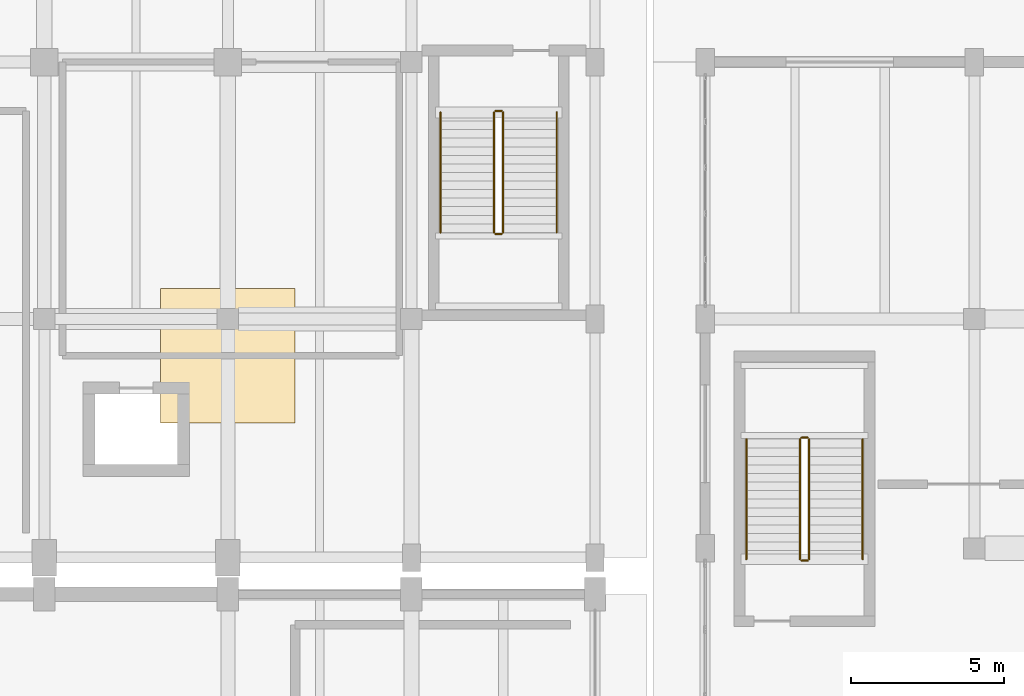
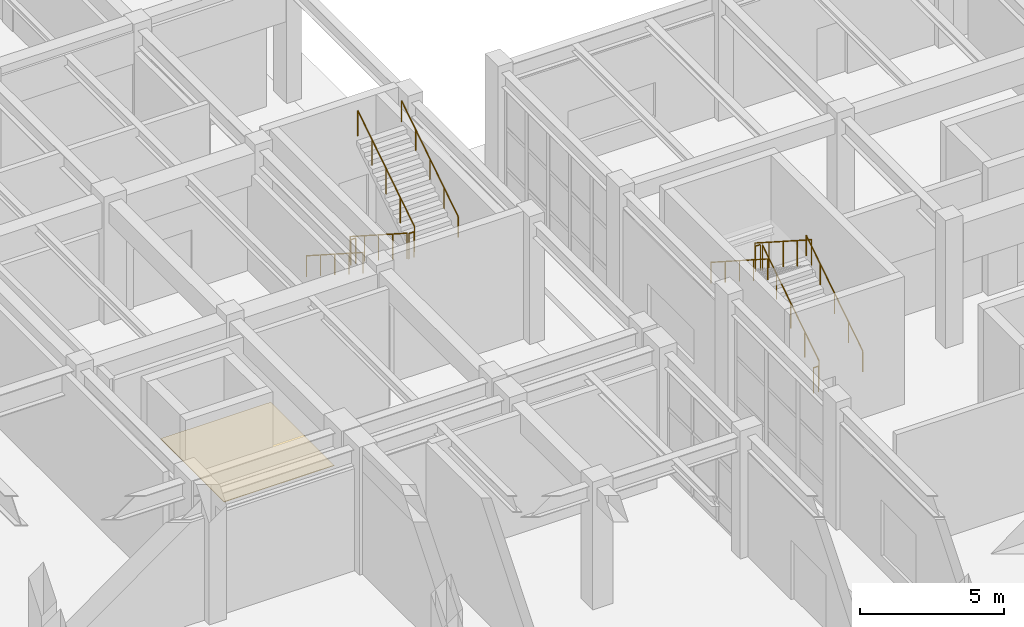
# One storey, part 90 of 91: 12 railings, 1 covering.
"""IFC4 building model written with IfcOpenShell, lengths in metres."""

from ifc_helpers import new_model, si_unit, direction, frame, origin, origin_2d, place, context, subcontext, project, spatial, polyline, circle, outline, extrude, material, layer, layer_set, type_object, element, save


model = new_model("IFC4")

# Units and contexts
model_context = context("Model", 3, precision=1e-05, world=origin(), true_north=direction((0.0, 1.0)))
body_context = subcontext(model_context, "Body", "Model", "MODEL_VIEW")
ifc_project = project(units=[si_unit("LENGTHUNIT", "METRE"), si_unit("AREAUNIT", "SQUARE_METRE"), si_unit("VOLUMEUNIT", "CUBIC_METRE"), si_unit("PLANEANGLEUNIT", "RADIAN"), si_unit("MASSUNIT", "GRAM", prefix="KILO")], contexts=[model_context])

# Site, building, storey
site_placement = place(None, origin())
site = spatial("IfcSite", under=ifc_project, at=site_placement, CompositionType="ELEMENT")
building_placement = place(site_placement, origin())
building = spatial("IfcBuilding", under=site, at=building_placement, Name="Vaelkrest Opera House", CompositionType="ELEMENT")
storey_placement = place(building_placement, origin())
storey = spatial("IfcBuildingStorey", under=building, at=storey_placement, Name="L00", CompositionType="ELEMENT", Elevation=0.0)

# Covering
ifc_material_1 = material(Name="Douglas fir glulam GL28h", Category="wood")
ifc_layer = layer(ifc_material_1, 0.02490234375)
ifc_layer_set = layer_set([ifc_layer], Name="Douglas fir glulam GL28h")
covering_type = type_object("IfcCoveringType", Name="COV-FLR01", PredefinedType="FLOORING", material=ifc_layer_set)
covering_placement = place(storey_placement, origin())
element("IfcCovering", 1, at=covering_placement, inside=storey, type_object=covering_type, Name="Sprung Douglas fir stage flooring 04", PredefinedType="FLOORING", context=body_context, shape_type="SweptSolid", body=[
    extrude(outline(polyline([(15.800048828125, 21.800048828125), (20.199951171875, 21.800048828125), (20.199951171875, 26.199951171875), (15.800048828125, 26.199951171875), (15.800048828125, 21.800048828125)])), origin(), (0.0, 0.0, 1.0), 0.02490234375),
])

# Railings
ifc_material_2 = material(Name="Dark bronze anodized aluminium", Category="aluminium")
railing_type_1 = type_object("IfcRailingType", Name="GR02", PredefinedType="GUARDRAIL", material=ifc_material_2)
railing_1_placement = place(storey_placement, frame((26.699951171875, 31.949951171875, 0.179931640625)))
element("IfcRailing", 2, at=railing_1_placement, inside=storey, type_object=railing_type_1, Name="L00 ST06 stair guard 1", PredefinedType="GUARDRAIL", context=body_context, shape_type="SweptSolid", body=[
    extrude(circle(Radius=0.02392578125, at=origin_2d()), frame((0.0, 0.0, 1.076171875), z_axis=(0.0, -0.841171666519, 0.540768182723), x_axis=(1.0, 0.0, 0.0)), (0.0, 0.0, 1.0), 4.66015625),
    extrude(circle(Radius=0.02099609375, at=origin_2d()), origin(), (0.0, 0.0, 1.0), 1.052001953125),
    extrude(circle(Radius=0.02099609375, at=origin_2d()), frame((0.0, -0.97998046875, 0.6298828125)), (0.0, 0.0, 1.0), 1.052001953125),
    extrude(circle(Radius=0.02099609375, at=origin_2d()), frame((0.0, -1.9599609375, 1.260009765625)), (0.0, 0.0, 1.0), 1.052001953125),
    extrude(circle(Radius=0.02099609375, at=origin_2d()), frame((0.0, -2.93994140625, 1.89013671875)), (0.0, 0.0, 1.0), 1.052001953125),
    extrude(circle(Radius=0.02099609375, at=origin_2d()), frame((0.0, -3.919921875, 2.52001953125)), (0.0, 0.0, 1.0), 1.052001953125),
])
railing_2_placement = place(storey_placement, frame((26.75, 27.97998046875, 2.699951171875)))
element("IfcRailing", 3, at=railing_2_placement, inside=storey, type_object=railing_type_1, Name="L00 ST06 stair guard 2", PredefinedType="GUARDRAIL", context=body_context, shape_type="SweptSolid", body=[
    extrude(circle(Radius=0.02392578125, at=origin_2d()), frame((0.0, 0.0, 1.076171875), z_axis=(1.0, 0.0, 0.0), x_axis=(0.0, 1.0, 0.0)), (0.0, 0.0, 1.0), 0.199951171875),
    extrude(circle(Radius=0.02099609375, at=origin_2d()), origin(), (0.0, 0.0, 1.0), 1.052001953125),
    extrude(circle(Radius=0.02099609375, at=origin_2d()), frame((0.199951171875, 0.0, 0.0)), (0.0, 0.0, 1.0), 1.052001953125),
])
railing_3_placement = place(storey_placement, frame((27.0, 28.030029296875, 2.8798828125)))
element("IfcRailing", 4, at=railing_3_placement, inside=storey, type_object=railing_type_1, Name="L00 ST06 stair guard 3", PredefinedType="GUARDRAIL", context=body_context, shape_type="SweptSolid", body=[
    extrude(circle(Radius=0.02392578125, at=origin_2d()), frame((0.0, 0.0, 1.076171875), z_axis=(0.0, 0.841171666519, 0.540768182723), x_axis=(-1.0, 0.0, 0.0)), (0.0, 0.0, 1.0), 4.66015625),
    extrude(circle(Radius=0.02099609375, at=origin_2d()), origin(), (0.0, 0.0, 1.0), 1.052001953125),
    extrude(circle(Radius=0.02099609375, at=origin_2d()), frame((0.0, 0.97998046875, 0.6298828125)), (0.0, 0.0, 1.0), 1.052001953125),
    extrude(circle(Radius=0.02099609375, at=origin_2d()), frame((0.0, 1.9599609375, 1.260009765625)), (0.0, 0.0, 1.0), 1.052001953125),
    extrude(circle(Radius=0.02099609375, at=origin_2d()), frame((0.0, 2.93994140625, 1.89013671875)), (0.0, 0.0, 1.0), 1.052001953125),
    extrude(circle(Radius=0.02099609375, at=origin_2d()), frame((0.0, 3.919921875, 2.52001953125)), (0.0, 0.0, 1.0), 1.052001953125),
])
railing_4_placement = place(storey_placement, frame((26.75, 32.0, 0.0)))
element("IfcRailing", 5, at=railing_4_placement, inside=storey, type_object=railing_type_1, Name="L00 ST06 stair guard 4", PredefinedType="GUARDRAIL", context=body_context, shape_type="SweptSolid", body=[
    extrude(circle(Radius=0.02392578125, at=origin_2d()), frame((0.0, 0.0, 1.076171875), z_axis=(1.0, 0.0, 0.0), x_axis=(0.0, 1.0, 0.0)), (0.0, 0.0, 1.0), 0.199951171875),
    extrude(circle(Radius=0.02099609375, at=origin_2d()), origin(), (0.0, 0.0, 1.0), 1.052001953125),
    extrude(circle(Radius=0.02099609375, at=origin_2d()), frame((0.199951171875, 0.0, 0.0)), (0.0, 0.0, 1.0), 1.052001953125),
])
railing_5_placement = place(storey_placement, frame((37.0, 17.35009765625, 0.179931640625)))
element("IfcRailing", 6, at=railing_5_placement, inside=storey, type_object=railing_type_1, Name="L00 ST09 stair guard 1", PredefinedType="GUARDRAIL", context=body_context, shape_type="SweptSolid", body=[
    extrude(circle(Radius=0.02392578125, at=origin_2d()), frame((0.0, 0.0, 1.076171875), z_axis=(0.0, 0.841171666519, 0.540768182723), x_axis=(-1.0, 0.0, 0.0)), (0.0, 0.0, 1.0), 4.66015625),
    extrude(circle(Radius=0.02099609375, at=origin_2d()), origin(), (0.0, 0.0, 1.0), 1.052001953125),
    extrude(circle(Radius=0.02099609375, at=origin_2d()), frame((0.0, 0.97998046875, 0.6298828125)), (0.0, 0.0, 1.0), 1.052001953125),
    extrude(circle(Radius=0.02099609375, at=origin_2d()), frame((0.0, 1.9599609375, 1.260009765625)), (0.0, 0.0, 1.0), 1.052001953125),
    extrude(circle(Radius=0.02099609375, at=origin_2d()), frame((0.0, 2.93994140625, 1.89013671875)), (0.0, 0.0, 1.0), 1.052001953125),
    extrude(circle(Radius=0.02099609375, at=origin_2d()), frame((0.0, 3.919921875, 2.52001953125)), (0.0, 0.0, 1.0), 1.052001953125),
])
railing_6_placement = place(storey_placement, frame((36.949951171875, 21.320068359375, 2.699951171875)))
element("IfcRailing", 7, at=railing_6_placement, inside=storey, type_object=railing_type_1, Name="L00 ST09 stair guard 2", PredefinedType="GUARDRAIL", context=body_context, shape_type="SweptSolid", body=[
    extrude(circle(Radius=0.02392578125, at=origin_2d()), frame((0.0, 0.0, 1.076171875), z_axis=(-1.0, 0.0, 0.0), x_axis=(0.0, -1.0, 0.0)), (0.0, 0.0, 1.0), 0.199951171875),
    extrude(circle(Radius=0.02099609375, at=origin_2d()), origin(), (0.0, 0.0, 1.0), 1.052001953125),
    extrude(circle(Radius=0.02099609375, at=origin_2d()), frame((-0.199951171875, 0.0, 0.0)), (0.0, 0.0, 1.0), 1.052001953125),
])
railing_7_placement = place(storey_placement, frame((36.699951171875, 21.27001953125, 2.8798828125)))
element("IfcRailing", 8, at=railing_7_placement, inside=storey, type_object=railing_type_1, Name="L00 ST09 stair guard 3", PredefinedType="GUARDRAIL", context=body_context, shape_type="SweptSolid", body=[
    extrude(circle(Radius=0.02392578125, at=origin_2d()), frame((0.0, 0.0, 1.076171875), z_axis=(0.0, -0.841171666519, 0.540768182723), x_axis=(1.0, 0.0, 0.0)), (0.0, 0.0, 1.0), 4.66015625),
    extrude(circle(Radius=0.02099609375, at=origin_2d()), origin(), (0.0, 0.0, 1.0), 1.052001953125),
    extrude(circle(Radius=0.02099609375, at=origin_2d()), frame((0.0, -0.97998046875, 0.6298828125)), (0.0, 0.0, 1.0), 1.052001953125),
    extrude(circle(Radius=0.02099609375, at=origin_2d()), frame((0.0, -1.9599609375, 1.260009765625)), (0.0, 0.0, 1.0), 1.052001953125),
    extrude(circle(Radius=0.02099609375, at=origin_2d()), frame((0.0, -2.93994140625, 1.89013671875)), (0.0, 0.0, 1.0), 1.052001953125),
    extrude(circle(Radius=0.02099609375, at=origin_2d()), frame((0.0, -3.919921875, 2.52001953125)), (0.0, 0.0, 1.0), 1.052001953125),
])
railing_8_placement = place(storey_placement, frame((36.949951171875, 17.300048828125, 0.0)))
element("IfcRailing", 9, at=railing_8_placement, inside=storey, type_object=railing_type_1, Name="L00 ST09 stair guard 4", PredefinedType="GUARDRAIL", context=body_context, shape_type="SweptSolid", body=[
    extrude(circle(Radius=0.02392578125, at=origin_2d()), frame((0.0, 0.0, 1.076171875), z_axis=(-1.0, 0.0, 0.0), x_axis=(0.0, -1.0, 0.0)), (0.0, 0.0, 1.0), 0.199951171875),
    extrude(circle(Radius=0.02099609375, at=origin_2d()), origin(), (0.0, 0.0, 1.0), 1.052001953125),
    extrude(circle(Radius=0.02099609375, at=origin_2d()), frame((-0.199951171875, 0.0, 0.0)), (0.0, 0.0, 1.0), 1.052001953125),
])
railing_type_2 = type_object("IfcRailingType", Name="HR02", PredefinedType="HANDRAIL", material=ifc_material_2)
railing_9_placement = place(storey_placement, frame((24.949951171875, 31.949951171875, 0.179931640625)))
element("IfcRailing", 10, at=railing_9_placement, inside=storey, type_object=railing_type_2, Name="L00 ST06 stair handrail 1", PredefinedType="HANDRAIL", context=body_context, shape_type="SweptSolid", body=[
    extrude(circle(Radius=0.02392578125, at=origin_2d()), frame((0.0, 0.0, 0.8759765625), z_axis=(0.0, -0.841171666519, 0.540768182723), x_axis=(1.0, 0.0, 0.0)), (0.0, 0.0, 1.0), 4.66015625),
    extrude(circle(Radius=0.02099609375, at=origin_2d()), origin(), (0.0, 0.0, 1.0), 0.851806640625),
    extrude(circle(Radius=0.02099609375, at=origin_2d()), frame((0.0, -0.97998046875, 0.6298828125)), (0.0, 0.0, 1.0), 0.851806640625),
    extrude(circle(Radius=0.02099609375, at=origin_2d()), frame((0.0, -1.9599609375, 1.260009765625)), (0.0, 0.0, 1.0), 0.851806640625),
    extrude(circle(Radius=0.02099609375, at=origin_2d()), frame((0.0, -2.93994140625, 1.89013671875)), (0.0, 0.0, 1.0), 0.851806640625),
    extrude(circle(Radius=0.02099609375, at=origin_2d()), frame((0.0, -3.919921875, 2.52001953125)), (0.0, 0.0, 1.0), 0.851806640625),
])
for number, where, name in (
    (11, (28.75, 28.030029296875, 2.8798828125), "L00 ST06 stair handrail 2"),
    (12, (38.75, 17.35009765625, 0.179931640625), "L00 ST09 stair handrail 1"),
):
    element("IfcRailing", number, at=place(storey_placement, frame(where)), inside=storey, type_object=railing_type_2, Name=name, PredefinedType="HANDRAIL", context=body_context, shape_type="SweptSolid", body=[
        extrude(circle(Radius=0.02392578125, at=origin_2d()), frame((0.0, 0.0, 0.8759765625), z_axis=(0.0, 0.841171666519, 0.540768182723), x_axis=(-1.0, 0.0, 0.0)), (0.0, 0.0, 1.0), 4.66015625),
        extrude(circle(Radius=0.02099609375, at=origin_2d()), origin(), (0.0, 0.0, 1.0), 0.851806640625),
        extrude(circle(Radius=0.02099609375, at=origin_2d()), frame((0.0, 0.97998046875, 0.6298828125)), (0.0, 0.0, 1.0), 0.851806640625),
        extrude(circle(Radius=0.02099609375, at=origin_2d()), frame((0.0, 1.9599609375, 1.260009765625)), (0.0, 0.0, 1.0), 0.851806640625),
        extrude(circle(Radius=0.02099609375, at=origin_2d()), frame((0.0, 2.93994140625, 1.89013671875)), (0.0, 0.0, 1.0), 0.851806640625),
        extrude(circle(Radius=0.02099609375, at=origin_2d()), frame((0.0, 3.919921875, 2.52001953125)), (0.0, 0.0, 1.0), 0.851806640625),
    ])
railing_10_placement = place(storey_placement, frame((34.949951171875, 21.27001953125, 2.8798828125)))
element("IfcRailing", 13, at=railing_10_placement, inside=storey, type_object=railing_type_2, Name="L00 ST09 stair handrail 2", PredefinedType="HANDRAIL", context=body_context, shape_type="SweptSolid", body=[
    extrude(circle(Radius=0.02392578125, at=origin_2d()), frame((0.0, 0.0, 0.8759765625), z_axis=(0.0, -0.841171666519, 0.540768182723), x_axis=(1.0, 0.0, 0.0)), (0.0, 0.0, 1.0), 4.66015625),
    extrude(circle(Radius=0.02099609375, at=origin_2d()), origin(), (0.0, 0.0, 1.0), 0.851806640625),
    extrude(circle(Radius=0.02099609375, at=origin_2d()), frame((0.0, -0.97998046875, 0.6298828125)), (0.0, 0.0, 1.0), 0.851806640625),
    extrude(circle(Radius=0.02099609375, at=origin_2d()), frame((0.0, -1.9599609375, 1.260009765625)), (0.0, 0.0, 1.0), 0.851806640625),
    extrude(circle(Radius=0.02099609375, at=origin_2d()), frame((0.0, -2.93994140625, 1.89013671875)), (0.0, 0.0, 1.0), 0.851806640625),
    extrude(circle(Radius=0.02099609375, at=origin_2d()), frame((0.0, -3.919921875, 2.52001953125)), (0.0, 0.0, 1.0), 0.851806640625),
])

save(model, "model.ifc")
